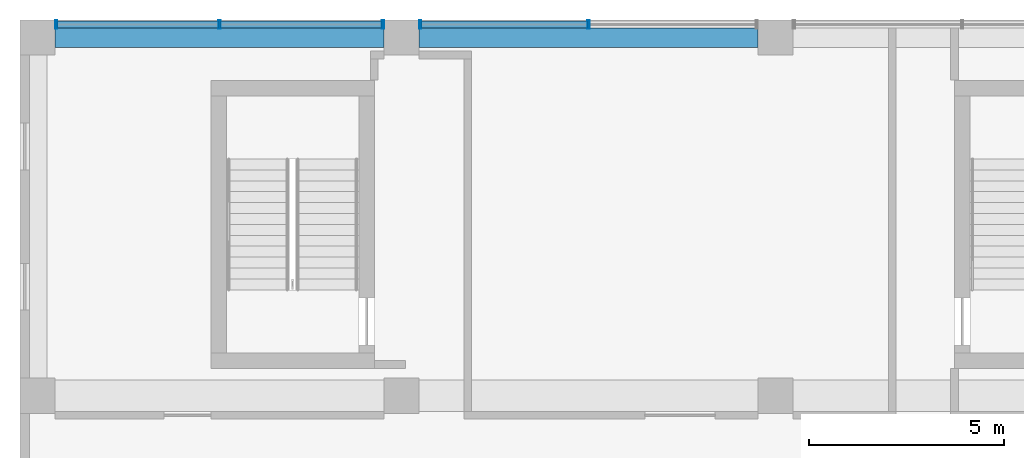
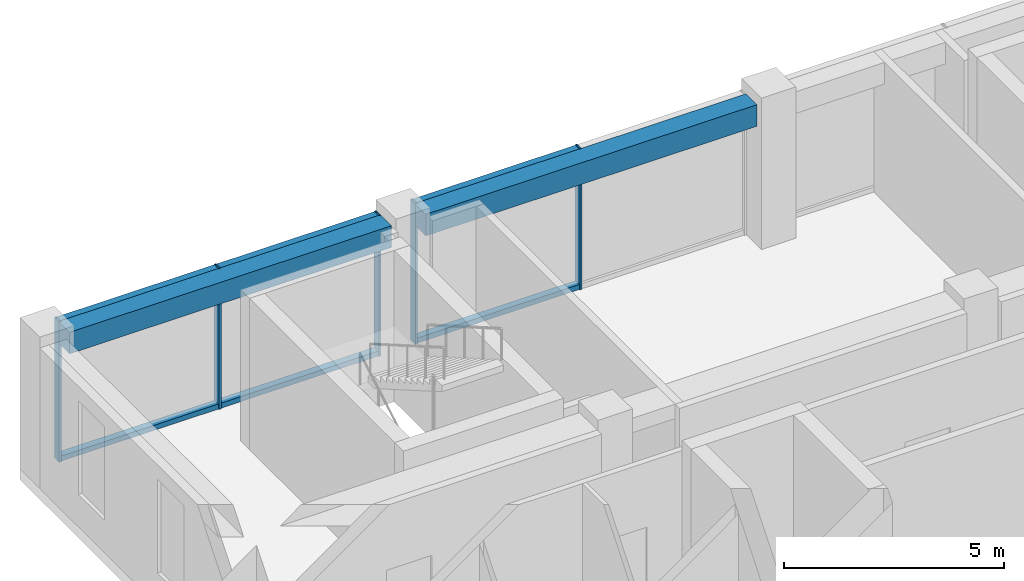
# One storey, part 21 of 37: 11 members, 2 beams, 2 elements without a shape of their own.
"""IFC4 building model written with IfcOpenShell, lengths in metres."""

from ifc_helpers import new_model, si_unit, direction, frame, origin, origin_2d, place, context, subcontext, project, spatial, rectangle, hollow_rectangle, extrude, material, layer, layer_set, material_profile, profile_set, type_object, element, aggregate, save


model = new_model("IFC4")

# Units and contexts
model_context = context("Model", 3, precision=1e-05, world=origin(), true_north=direction((0.0, 1.0)))
body_context = subcontext(model_context, "Body", "Model", "MODEL_VIEW")
ifc_project = project(units=[si_unit("LENGTHUNIT", "METRE"), si_unit("AREAUNIT", "SQUARE_METRE"), si_unit("VOLUMEUNIT", "CUBIC_METRE"), si_unit("PLANEANGLEUNIT", "RADIAN"), si_unit("MASSUNIT", "GRAM", prefix="KILO")], contexts=[model_context])

# Site, building, storey
site_placement = place(None, origin())
site = spatial("IfcSite", under=ifc_project, at=site_placement, CompositionType="ELEMENT")
building_placement = place(site_placement, origin())
building = spatial("IfcBuilding", under=site, at=building_placement, Name="Nzadi Deep Aquarium and Research Tower", CompositionType="ELEMENT")
storey_placement = place(building_placement, frame((0.0, 0.0, 57.10009765625)))
storey = spatial("IfcBuildingStorey", under=building, at=storey_placement, Name="L11", CompositionType="ELEMENT", Elevation=57.10009765625)

# Curtain wall, members
ifc_material_1 = material(Name="Aluminium unitised frame deep", Category="aluminium")
ifc_layer = layer(ifc_material_1, 0.22509765625)
ifc_layer_set = layer_set([ifc_layer], Name="Aluminium unitised frame deep")
curtain_wall_type = type_object("IfcCurtainWallType", Name="Curtain wall Unitised Deep 225", PredefinedType="NOTDEFINED", material=ifc_layer_set)
curtain_wall_1_placement = place(storey_placement, origin())
curtain_wall_1 = element("IfcCurtainWall", 1, at=curtain_wall_1_placement, inside=storey, type_object=curtain_wall_type, Name="Unitised curtain wall blade B north L11", PredefinedType="NOTDEFINED")
ifc_material_2 = material(Name="Aluminium unitised frame deep", Category="aluminium")
ifc_material_profile_1 = material_profile(ifc_material_2, hollow_rectangle(XDim=0.22509765625, YDim=0.06005859375, WallThickness=0.0048828125, at=origin_2d()))
ifc_profile_set_1 = profile_set([ifc_material_profile_1], Name="Aluminium unitised frame deep")
member_type_1 = type_object("IfcMemberType", Name="Mullion 60x225 Unitised Deep", PredefinedType="MULLION", material=ifc_profile_set_1)
member_1_placement = place(storey_placement, frame((0.72998046875, 46.33740234375, 0.0), z_axis=(0.0, 0.0, 1.0), x_axis=(0.0, 1.0, 0.0)))
member_1 = element("IfcMember", 2, at=member_1_placement, type_object=member_type_1, Name="CW146 mullion 1", PredefinedType="MULLION", context=body_context, shape_type="SweptSolid", body=[
    extrude(hollow_rectangle(XDim=0.22509765625, YDim=0.06005859375, WallThickness=0.0048828125, at=origin_2d()), origin(), (0.0, 0.0, 1.0), 3.89990234375),
])
member_2_placement = place(storey_placement, frame((4.925048828125, 46.33740234375, 0.0), z_axis=(0.0, 0.0, 1.0), x_axis=(0.0, 1.0, 0.0)))
member_2 = element("IfcMember", 3, at=member_2_placement, type_object=member_type_1, Name="CW146 mullion 2", PredefinedType="MULLION", context=body_context, shape_type="SweptSolid", body=[
    extrude(hollow_rectangle(XDim=0.22509765625, YDim=0.06005859375, WallThickness=0.0048828125, at=origin_2d()), origin(), (0.0, 0.0, 1.0), 3.89990234375),
])
member_3_placement = place(storey_placement, frame((9.1201171875, 46.33740234375, 0.0), z_axis=(0.0, 0.0, 1.0), x_axis=(0.0, 1.0, 0.0)))
member_3 = element("IfcMember", 4, at=member_3_placement, type_object=member_type_1, Name="CW146 mullion 3", PredefinedType="MULLION", context=body_context, shape_type="SweptSolid", body=[
    extrude(hollow_rectangle(XDim=0.22509765625, YDim=0.06005859375, WallThickness=0.0048828125, at=origin_2d()), origin(), (0.0, 0.0, 1.0), 3.89990234375),
])

curtain_wall_2_placement = place(storey_placement, origin())
curtain_wall_2 = element("IfcCurtainWall", 5, at=curtain_wall_2_placement, inside=storey, type_object=curtain_wall_type, Name="Unitised curtain wall blade B north L11", PredefinedType="NOTDEFINED")
member_4_placement = place(storey_placement, frame((10.080078125, 46.33740234375, 0.0), z_axis=(0.0, 0.0, 1.0), x_axis=(0.0, 1.0, 0.0)))
member_4 = element("IfcMember", 6, at=member_4_placement, type_object=member_type_1, Name="CW147 mullion 1", PredefinedType="MULLION", context=body_context, shape_type="SweptSolid", body=[
    extrude(hollow_rectangle(XDim=0.22509765625, YDim=0.06005859375, WallThickness=0.0048828125, at=origin_2d()), origin(), (0.0, 0.0, 1.0), 3.89990234375),
])
member_5_placement = place(storey_placement, frame((14.39990234375, 46.33740234375, 0.0), z_axis=(0.0, 0.0, 1.0), x_axis=(0.0, 1.0, 0.0)))
member_5 = element("IfcMember", 7, at=member_5_placement, type_object=member_type_1, Name="CW147 mullion 2", PredefinedType="MULLION", context=body_context, shape_type="SweptSolid", body=[
    extrude(hollow_rectangle(XDim=0.22509765625, YDim=0.06005859375, WallThickness=0.0048828125, at=origin_2d()), origin(), (0.0, 0.0, 1.0), 3.89990234375),
])

# Beams
ifc_material_3 = material(Name="Concrete C35/45", Category="concrete")
ifc_material_profile_2 = material_profile(ifc_material_3, rectangle(XDim=0.5, YDim=0.60009765625, at=origin_2d()))
ifc_profile_set_2 = profile_set([ifc_material_profile_2], Name="Concrete C35/45")
beam_type = type_object("IfcBeamType", Name="RC 500x600", PredefinedType="BEAM", material=ifc_profile_set_2)
beam_1_placement = place(storey_placement, frame((0.699951171875, 46.0, 3.599853515625), z_axis=(1.0, 0.0, 0.0), x_axis=(0.0, 1.0, 0.0)))
element("IfcBeam", 8, at=beam_1_placement, inside=storey, type_object=beam_type, Name="B-Z1-L11-L6-1", PredefinedType="BEAM", context=body_context, shape_type="SweptSolid", body=[
    extrude(rectangle(XDim=0.5, YDim=0.60009765625, at=origin_2d()), origin(), (0.0, 0.0, 1.0), 8.449951171875),
])
beam_2_placement = place(storey_placement, frame((10.050048828125, 46.0, 3.599853515625), z_axis=(1.0, 0.0, 0.0), x_axis=(0.0, 1.0, 0.0)))
element("IfcBeam", 9, at=beam_2_placement, inside=storey, type_object=beam_type, Name="B-Z1-L11-L6-2", PredefinedType="BEAM", context=body_context, shape_type="SweptSolid", body=[
    extrude(rectangle(XDim=0.5, YDim=0.60009765625, at=origin_2d()), origin(), (0.0, 0.0, 1.0), 8.699951171875),
])

# Member
ifc_material_4 = material(Name="Aluminium unitised frame deep", Category="aluminium")
ifc_material_profile_3 = material_profile(ifc_material_4, hollow_rectangle(XDim=0.179931640625, YDim=0.139892578125, WallThickness=0.0048828125, at=origin_2d()))
ifc_profile_set_3 = profile_set([ifc_material_profile_3], Name="Aluminium unitised frame deep")
member_type_2 = type_object("IfcMemberType", Name="Transom 140x180 Unitised Deep", PredefinedType="MULLION", material=ifc_profile_set_3)
member_6_placement = place(storey_placement, frame((0.760009765625, 46.33740234375, 0.06982421875), z_axis=(1.0, 0.0, 0.0), x_axis=(0.0, 1.0, 0.0)))
member_6 = element("IfcMember", 10, at=member_6_placement, type_object=member_type_2, Name="CW146 transom 1.1", PredefinedType="MULLION", context=body_context, shape_type="SweptSolid", body=[
    extrude(hollow_rectangle(XDim=0.179931640625, YDim=0.139892578125, WallThickness=0.0048828125, at=origin_2d()), origin(), (0.0, 0.0, 1.0), 4.135009765625),
])

member_7_placement = place(storey_placement, frame((0.760009765625, 46.33740234375, 3.829833984375), z_axis=(1.0, 0.0, 0.0), x_axis=(0.0, 1.0, 0.0)))
member_7 = element("IfcMember", 11, at=member_7_placement, type_object=member_type_2, Name="CW146 transom 1.2", PredefinedType="MULLION", context=body_context, shape_type="SweptSolid", body=[
    extrude(hollow_rectangle(XDim=0.179931640625, YDim=0.139892578125, WallThickness=0.0048828125, at=origin_2d()), origin(), (0.0, 0.0, 1.0), 4.135009765625),
])

member_8_placement = place(storey_placement, frame((4.955078125, 46.33740234375, 0.06982421875), z_axis=(1.0, 0.0, 0.0), x_axis=(0.0, 1.0, 0.0)))
member_8 = element("IfcMember", 12, at=member_8_placement, type_object=member_type_2, Name="CW146 transom 2.1", PredefinedType="MULLION", context=body_context, shape_type="SweptSolid", body=[
    extrude(hollow_rectangle(XDim=0.179931640625, YDim=0.139892578125, WallThickness=0.0048828125, at=origin_2d()), origin(), (0.0, 0.0, 1.0), 4.135009765625),
])

member_9_placement = place(storey_placement, frame((4.955078125, 46.33740234375, 3.829833984375), z_axis=(1.0, 0.0, 0.0), x_axis=(0.0, 1.0, 0.0)))
member_9 = element("IfcMember", 13, at=member_9_placement, type_object=member_type_2, Name="CW146 transom 2.2", PredefinedType="MULLION", context=body_context, shape_type="SweptSolid", body=[
    extrude(hollow_rectangle(XDim=0.179931640625, YDim=0.139892578125, WallThickness=0.0048828125, at=origin_2d()), origin(), (0.0, 0.0, 1.0), 4.135009765625),
])

aggregate(curtain_wall_1, [member_1, member_2, member_3, member_6, member_7, member_8, member_9])

member_10_placement = place(storey_placement, frame((10.110107421875, 46.33740234375, 0.06982421875), z_axis=(1.0, 0.0, 0.0), x_axis=(0.0, 1.0, 0.0)))
member_10 = element("IfcMember", 14, at=member_10_placement, type_object=member_type_2, Name="CW147 transom 1.1", PredefinedType="MULLION", context=body_context, shape_type="SweptSolid", body=[
    extrude(hollow_rectangle(XDim=0.179931640625, YDim=0.139892578125, WallThickness=0.0048828125, at=origin_2d()), origin(), (0.0, 0.0, 1.0), 4.260009765625),
])

member_11_placement = place(storey_placement, frame((10.110107421875, 46.33740234375, 3.829833984375), z_axis=(1.0, 0.0, 0.0), x_axis=(0.0, 1.0, 0.0)))
member_11 = element("IfcMember", 15, at=member_11_placement, type_object=member_type_2, Name="CW147 transom 1.2", PredefinedType="MULLION", context=body_context, shape_type="SweptSolid", body=[
    extrude(hollow_rectangle(XDim=0.179931640625, YDim=0.139892578125, WallThickness=0.0048828125, at=origin_2d()), origin(), (0.0, 0.0, 1.0), 4.260009765625),
])

aggregate(curtain_wall_2, [member_4, member_5, member_10, member_11])

save(model, "model.ifc")
